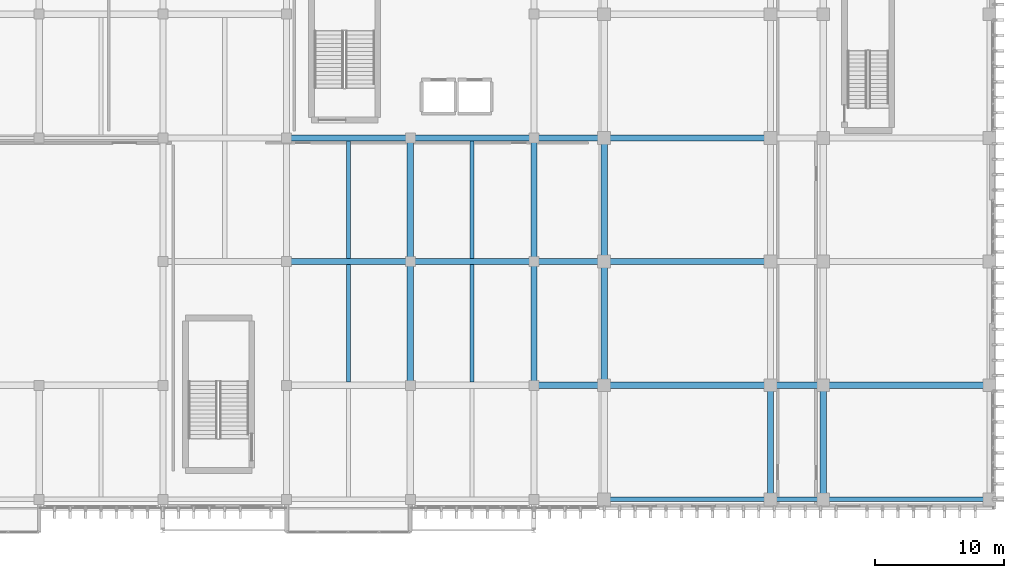
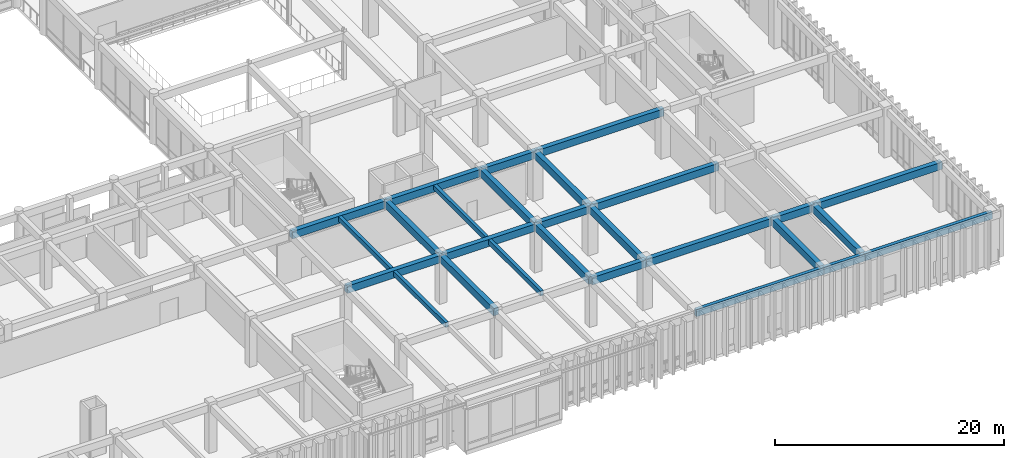
# One storey, part 59 of 134: 27 beams.
"""IFC4 building model written with IfcOpenShell, lengths in metres."""

from ifc_helpers import new_model, si_unit, direction, frame, origin, origin_2d, place, context, subcontext, project, spatial, rectangle, extrude, material, material_profile, profile_set, type_object, element, save


model = new_model("IFC4")

# Units and contexts
model_context = context("Model", 3, precision=1e-05, world=origin(), true_north=direction((0.0, 1.0)))
body_context = subcontext(model_context, "Body", "Model", "MODEL_VIEW")
ifc_project = project(units=[si_unit("LENGTHUNIT", "METRE"), si_unit("AREAUNIT", "SQUARE_METRE"), si_unit("VOLUMEUNIT", "CUBIC_METRE"), si_unit("PLANEANGLEUNIT", "RADIAN"), si_unit("MASSUNIT", "GRAM", prefix="KILO")], contexts=[model_context])

# Site, building, storey
site_placement = place(None, origin())
site = spatial("IfcSite", under=ifc_project, at=site_placement, CompositionType="ELEMENT")
building_placement = place(site_placement, origin())
building = spatial("IfcBuilding", under=site, at=building_placement, Name="Nakhvara Creek Congress Hotel", CompositionType="ELEMENT")
storey_placement = place(building_placement, frame((0.0, 0.0, 6.0)))
storey = spatial("IfcBuildingStorey", under=building, at=storey_placement, Name="L01", CompositionType="ELEMENT", Elevation=6.0)

# Beams
ifc_material = material(Name="Concrete C40/50", Category="concrete")
ifc_material_profile_1 = material_profile(ifc_material, rectangle(XDim=0.320068359375, YDim=0.52001953125, at=origin_2d()), Name="RC-BM 320x520", Category="LoadBearing")
ifc_profile_set_1 = profile_set([ifc_material_profile_1], Name="Concrete C40/50")
beam_type_1 = type_object("IfcBeamType", Name="BM-RC-320X520", PredefinedType="JOIST", material=ifc_profile_set_1)
beam_1_placement = place(storey_placement, frame((129.60009765625, 9.840087890625, 4.840087890625), z_axis=(0.0, 1.0, 0.0), x_axis=(-1.0, 0.0, 0.0)))
element("IfcBeam", 1, at=beam_1_placement, inside=storey, type_object=beam_type_1, Name="Secondary Joist BJ2-L01-1385", PredefinedType="JOIST", context=body_context, shape_type="SweptSolid", body=[
    extrude(rectangle(XDim=0.320068359375, YDim=0.52001953125, at=origin_2d()), origin(), (0.0, 0.0, 1.0), 9.119873046875),
])
beam_2_placement = place(storey_placement, frame((129.60009765625, 19.43994140625, 4.840087890625), z_axis=(0.0, 1.0, 0.0), x_axis=(-1.0, 0.0, 0.0)))
element("IfcBeam", 2, at=beam_2_placement, inside=storey, type_object=beam_type_1, Name="Secondary Joist BJ2-L01-1386", PredefinedType="JOIST", context=body_context, shape_type="SweptSolid", body=[
    extrude(rectangle(XDim=0.320068359375, YDim=0.52001953125, at=origin_2d()), origin(), (0.0, 0.0, 1.0), 9.1201171875),
])
beam_3_placement = place(storey_placement, frame((139.199951171875, 9.840087890625, 4.840087890625), z_axis=(0.0, 1.0, 0.0), x_axis=(-1.0, 0.0, 0.0)))
element("IfcBeam", 3, at=beam_3_placement, inside=storey, type_object=beam_type_1, Name="Secondary Joist BJ2-L01-1390", PredefinedType="JOIST", context=body_context, shape_type="SweptSolid", body=[
    extrude(rectangle(XDim=0.320068359375, YDim=0.52001953125, at=origin_2d()), origin(), (0.0, 0.0, 1.0), 9.119873046875),
])
beam_4_placement = place(storey_placement, frame((139.199951171875, 19.43994140625, 4.840087890625), z_axis=(0.0, 1.0, 0.0), x_axis=(-1.0, 0.0, 0.0)))
element("IfcBeam", 4, at=beam_4_placement, inside=storey, type_object=beam_type_1, Name="Secondary Joist BJ2-L01-1391", PredefinedType="JOIST", context=body_context, shape_type="SweptSolid", body=[
    extrude(rectangle(XDim=0.320068359375, YDim=0.52001953125, at=origin_2d()), origin(), (0.0, 0.0, 1.0), 9.1201171875),
])
ifc_material_profile_2 = material_profile(ifc_material, rectangle(XDim=0.47998046875, YDim=0.780029296875, at=origin_2d()), Name="RC-BM 480x780", Category="LoadBearing")
ifc_profile_set_2 = profile_set([ifc_material_profile_2], Name="Concrete C40/50")
beam_type_2 = type_object("IfcBeamType", Name="BM-RC-480X780", PredefinedType="BEAM", material=ifc_profile_set_2)
for number, where, z_axis, x_axis, name in (
    (5, (124.800048828125, 19.199951171875, 4.7099609375), (1.0, 0.0, 0.0), (0.0, 1.0, 0.0), "Beam B13-L01-1222"),
    (6, (124.800048828125, 28.800048828125, 4.7099609375), (1.0, 0.0, 0.0), (0.0, 1.0, 0.0), "Beam B13-L01-1224"),
    (7, (134.39990234375, 9.60009765625, 4.7099609375), (0.0, 1.0, 0.0), (-1.0, 0.0, 0.0), "Beam B13-L01-1240"),
):
    element("IfcBeam", number, at=place(storey_placement, frame(where, z_axis=z_axis, x_axis=x_axis)), inside=storey, type_object=beam_type_2, Name=name, PredefinedType="BEAM", context=body_context, shape_type="SweptSolid", body=[
        extrude(rectangle(XDim=0.47998046875, YDim=0.780029296875, at=origin_2d()), origin(), (0.0, 0.0, 1.0), 9.599853515625),
    ])
for number, where, z_axis, x_axis, name in (
    (8, (134.39990234375, 19.199951171875, 4.7099609375), (0.0, 1.0, 0.0), (-1.0, 0.0, 0.0), "Beam B13-L01-1242"),
    (9, (134.39990234375, 19.199951171875, 4.7099609375), (1.0, 0.0, 0.0), (0.0, 1.0, 0.0), "Beam B13-L01-1243"),
    (10, (134.39990234375, 28.800048828125, 4.7099609375), (1.0, 0.0, 0.0), (0.0, 1.0, 0.0), "Beam B13-L01-1244"),
):
    element("IfcBeam", number, at=place(storey_placement, frame(where, z_axis=z_axis, x_axis=x_axis)), inside=storey, type_object=beam_type_2, Name=name, PredefinedType="BEAM", context=body_context, shape_type="SweptSolid", body=[
        extrude(rectangle(XDim=0.47998046875, YDim=0.780029296875, at=origin_2d()), origin(), (0.0, 0.0, 1.0), 9.60009765625),
    ])
beam_5_placement = place(storey_placement, frame((144.0, 9.60009765625, 4.7099609375), z_axis=(0.0, 1.0, 0.0), x_axis=(-1.0, 0.0, 0.0)))
element("IfcBeam", 11, at=beam_5_placement, inside=storey, type_object=beam_type_2, Name="Beam B13-L01-1256", PredefinedType="BEAM", context=body_context, shape_type="SweptSolid", body=[
    extrude(rectangle(XDim=0.47998046875, YDim=0.780029296875, at=origin_2d()), origin(), (0.0, 0.0, 1.0), 9.599853515625),
])
beam_6_placement = place(storey_placement, frame((144.0, 9.60009765625, 4.7099609375), z_axis=(1.0, 0.0, 0.0), x_axis=(0.0, 1.0, 0.0)))
element("IfcBeam", 12, at=beam_6_placement, inside=storey, type_object=beam_type_2, Name="Beam B13-L01-1257", PredefinedType="BEAM", context=body_context, shape_type="SweptSolid", body=[
    extrude(rectangle(XDim=0.47998046875, YDim=0.780029296875, at=origin_2d()), origin(), (0.0, 0.0, 1.0), 5.449951171875),
])
beam_7_placement = place(storey_placement, frame((144.0, 19.199951171875, 4.7099609375), z_axis=(0.0, 1.0, 0.0), x_axis=(-1.0, 0.0, 0.0)))
element("IfcBeam", 13, at=beam_7_placement, inside=storey, type_object=beam_type_2, Name="Beam B13-L01-1258", PredefinedType="BEAM", context=body_context, shape_type="SweptSolid", body=[
    extrude(rectangle(XDim=0.47998046875, YDim=0.780029296875, at=origin_2d()), origin(), (0.0, 0.0, 1.0), 9.60009765625),
])
for number, where, z_axis, x_axis, name in (
    (14, (144.0, 19.199951171875, 4.7099609375), (1.0, 0.0, 0.0), (0.0, 1.0, 0.0), "Beam B13-L01-1259"),
    (15, (144.0, 28.800048828125, 4.7099609375), (1.0, 0.0, 0.0), (0.0, 1.0, 0.0), "Beam B13-L01-1261"),
):
    element("IfcBeam", number, at=place(storey_placement, frame(where, z_axis=z_axis, x_axis=x_axis)), inside=storey, type_object=beam_type_2, Name=name, PredefinedType="BEAM", context=body_context, shape_type="SweptSolid", body=[
        extrude(rectangle(XDim=0.47998046875, YDim=0.780029296875, at=origin_2d()), origin(), (0.0, 0.0, 1.0), 5.449951171875),
    ])
beam_8_placement = place(storey_placement, frame((149.449951171875, 9.60009765625, 4.7099609375), z_axis=(0.0, 1.0, 0.0), x_axis=(-1.0, 0.0, 0.0)))
element("IfcBeam", 16, at=beam_8_placement, inside=storey, type_object=beam_type_2, Name="Beam B13-L01-1274", PredefinedType="BEAM", context=body_context, shape_type="SweptSolid", body=[
    extrude(rectangle(XDim=0.47998046875, YDim=0.780029296875, at=origin_2d()), origin(), (0.0, 0.0, 1.0), 9.599853515625),
])
beam_9_placement = place(storey_placement, frame((149.449951171875, 9.60009765625, 4.7099609375), z_axis=(1.0, 0.0, 0.0), x_axis=(0.0, 1.0, 0.0)))
element("IfcBeam", 17, at=beam_9_placement, inside=storey, type_object=beam_type_2, Name="Beam B13-L01-1275", PredefinedType="BEAM", context=body_context, shape_type="SweptSolid", body=[
    extrude(rectangle(XDim=0.47998046875, YDim=0.780029296875, at=origin_2d()), origin(), (0.0, 0.0, 1.0), 12.900146484375),
])
beam_10_placement = place(storey_placement, frame((149.449951171875, 19.199951171875, 4.7099609375), z_axis=(0.0, 1.0, 0.0), x_axis=(-1.0, 0.0, 0.0)))
element("IfcBeam", 18, at=beam_10_placement, inside=storey, type_object=beam_type_2, Name="Beam B13-L01-1276", PredefinedType="BEAM", context=body_context, shape_type="SweptSolid", body=[
    extrude(rectangle(XDim=0.47998046875, YDim=0.780029296875, at=origin_2d()), origin(), (0.0, 0.0, 1.0), 9.60009765625),
])
for number, where, z_axis, x_axis, name in (
    (19, (149.449951171875, 19.199951171875, 4.7099609375), (1.0, 0.0, 0.0), (0.0, 1.0, 0.0), "Beam B13-L01-1277"),
    (20, (149.449951171875, 28.800048828125, 4.7099609375), (1.0, 0.0, 0.0), (0.0, 1.0, 0.0), "Beam B13-L01-1279"),
):
    element("IfcBeam", number, at=place(storey_placement, frame(where, z_axis=z_axis, x_axis=x_axis)), inside=storey, type_object=beam_type_2, Name=name, PredefinedType="BEAM", context=body_context, shape_type="SweptSolid", body=[
        extrude(rectangle(XDim=0.47998046875, YDim=0.780029296875, at=origin_2d()), origin(), (0.0, 0.0, 1.0), 12.900146484375),
    ])
beam_11_placement = place(storey_placement, frame((162.35009765625, 0.75, 4.7099609375), z_axis=(0.0, 1.0, 0.0), x_axis=(-1.0, 0.0, 0.0)))
element("IfcBeam", 21, at=beam_11_placement, inside=storey, type_object=beam_type_2, Name="Beam B13-L01-1297", PredefinedType="BEAM", context=body_context, shape_type="SweptSolid", body=[
    extrude(rectangle(XDim=0.47998046875, YDim=0.780029296875, at=origin_2d()), origin(), (0.0, 0.0, 1.0), 8.85009765625),
])
beam_12_placement = place(storey_placement, frame((162.35009765625, 9.60009765625, 4.7099609375), z_axis=(1.0, 0.0, 0.0), x_axis=(0.0, 1.0, 0.0)))
element("IfcBeam", 22, at=beam_12_placement, inside=storey, type_object=beam_type_2, Name="Beam B13-L01-1300", PredefinedType="BEAM", context=body_context, shape_type="SweptSolid", body=[
    extrude(rectangle(XDim=0.47998046875, YDim=0.780029296875, at=origin_2d()), origin(), (0.0, 0.0, 1.0), 4.099853515625),
])
beam_13_placement = place(storey_placement, frame((166.449951171875, 0.75, 4.7099609375), z_axis=(0.0, 1.0, 0.0), x_axis=(-1.0, 0.0, 0.0)))
element("IfcBeam", 23, at=beam_13_placement, inside=storey, type_object=beam_type_2, Name="Beam B13-L01-1324", PredefinedType="BEAM", context=body_context, shape_type="SweptSolid", body=[
    extrude(rectangle(XDim=0.47998046875, YDim=0.780029296875, at=origin_2d()), origin(), (0.0, 0.0, 1.0), 8.85009765625),
])
beam_14_placement = place(storey_placement, frame((166.449951171875, 9.60009765625, 4.7099609375), z_axis=(1.0, 0.0, 0.0), x_axis=(0.0, 1.0, 0.0)))
element("IfcBeam", 24, at=beam_14_placement, inside=storey, type_object=beam_type_2, Name="Beam B13-L01-1327", PredefinedType="BEAM", context=body_context, shape_type="SweptSolid", body=[
    extrude(rectangle(XDim=0.47998046875, YDim=0.780029296875, at=origin_2d()), origin(), (0.0, 0.0, 1.0), 12.900146484375),
])
ifc_material_profile_3 = material_profile(ifc_material, rectangle(XDim=0.35009765625, YDim=0.75, at=origin_2d()), Name="RC-SPANDREL 350x750", Category="LoadBearing")
ifc_profile_set_3 = profile_set([ifc_material_profile_3], Name="Concrete C40/50")
beam_type_3 = type_object("IfcBeamType", Name="BM-SPN-350X750", PredefinedType="SPANDREL", material=ifc_profile_set_3)
beam_15_placement = place(storey_placement, frame((149.449951171875, 0.75, 4.72509765625), z_axis=(1.0, 0.0, 0.0), x_axis=(0.0, 1.0, 0.0)))
element("IfcBeam", 25, at=beam_15_placement, inside=storey, type_object=beam_type_3, Name="Beam SP1-L01-1273", PredefinedType="SPANDREL", context=body_context, shape_type="SweptSolid", body=[
    extrude(rectangle(XDim=0.35009765625, YDim=0.75, at=origin_2d()), origin(), (0.0, 0.0, 1.0), 12.900146484375),
])
beam_16_placement = place(storey_placement, frame((162.35009765625, 0.75, 4.72509765625), z_axis=(1.0, 0.0, 0.0), x_axis=(0.0, 1.0, 0.0)))
element("IfcBeam", 26, at=beam_16_placement, inside=storey, type_object=beam_type_3, Name="Beam SP1-L01-1298", PredefinedType="SPANDREL", context=body_context, shape_type="SweptSolid", body=[
    extrude(rectangle(XDim=0.35009765625, YDim=0.75, at=origin_2d()), origin(), (0.0, 0.0, 1.0), 4.099853515625),
])
beam_17_placement = place(storey_placement, frame((166.449951171875, 0.75, 4.72509765625), z_axis=(1.0, 0.0, 0.0), x_axis=(0.0, 1.0, 0.0)))
element("IfcBeam", 27, at=beam_17_placement, inside=storey, type_object=beam_type_3, Name="Beam SP1-L01-1325", PredefinedType="SPANDREL", context=body_context, shape_type="SweptSolid", body=[
    extrude(rectangle(XDim=0.35009765625, YDim=0.75, at=origin_2d()), origin(), (0.0, 0.0, 1.0), 12.900146484375),
])

save(model, "model.ifc")
